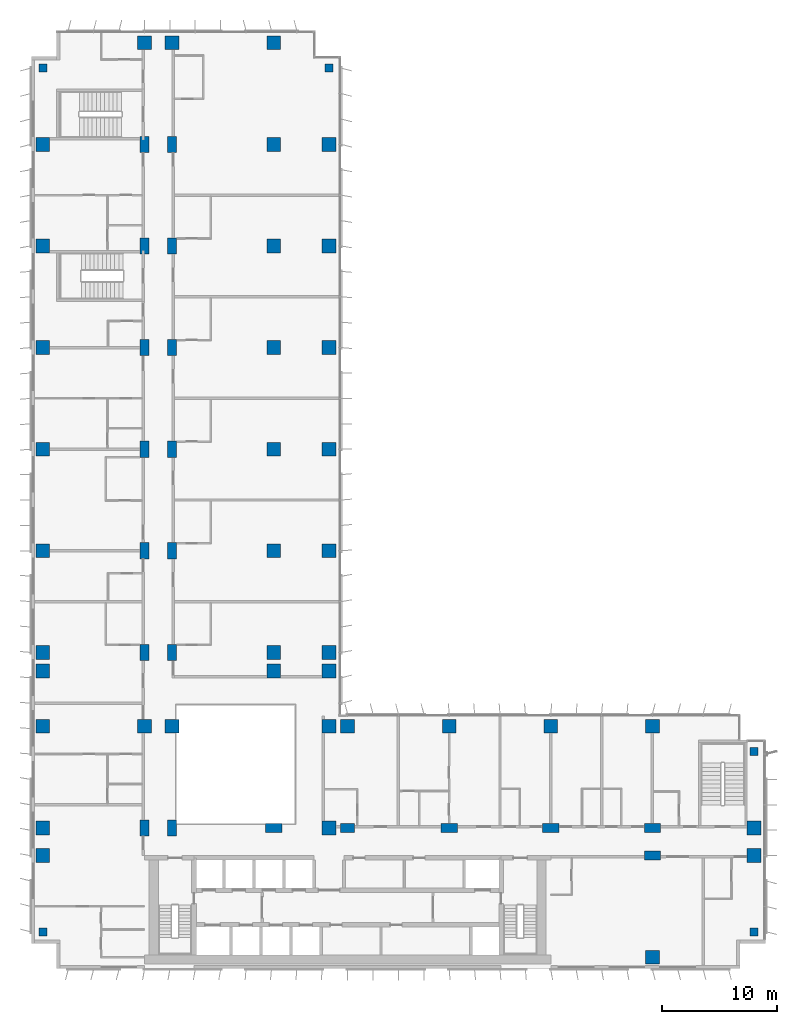
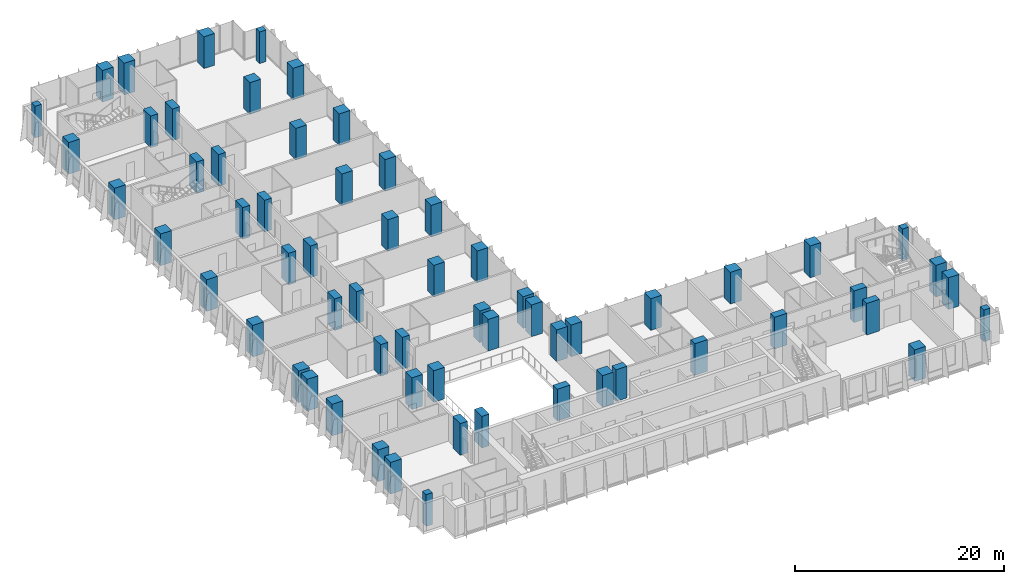
# One storey, part 1 of 22: 63 columns.
"""IFC4 building model written with IfcOpenShell, lengths in metres."""

import ifcopenshell
import ifcopenshell.guid

model = None  # the IFC model being written
_history = None  # IfcOwnerHistory: only IFC2X3 demands one
_inside = {}  # id of a spatial element -> (the spatial element, [elements in it])
_under = {}  # id of a project, library or spatial element -> (it, [spatial elements below it])
_declared = {}  # id of a project -> (the project, [libraries it declares])
_typed = {}  # id of a type object -> (the type object, [elements of that type])
_made_of = {}  # id of a material, layer set ... -> (it, [elements and type objects made of it])


def new_model(schema):
    """Start an empty IFC model of exactly this schema.

    Asked for "IFC4X3", IfcOpenShell would pick the latest addendum, in which some entities
    have other attributes; the version numbers below select the first issue.
    IFC2X3 requires an IfcOwnerHistory on every rooted entity: one is made here for all.
    """
    global model, _history
    if schema == "IFC4X3":
        model = ifcopenshell.file(schema_version=(4, 3, 0, 0))
    else:
        model = ifcopenshell.file(schema=schema)
    _inside.clear()
    _under.clear()
    _declared.clear()
    _typed.clear()
    _made_of.clear()
    _history = None
    if model.schema == "IFC2X3":
        org = make("IfcOrganization", Name="unknown")
        user = make(
            "IfcPersonAndOrganization",
            ThePerson=make("IfcPerson", FamilyName="unknown"),
            TheOrganization=org,
        )
        app = make(
            "IfcApplication",
            ApplicationDeveloper=org,
            Version="unknown",
            ApplicationFullName="unknown",
            ApplicationIdentifier="unknown",
        )
        _history = make(
            "IfcOwnerHistory",
            OwningUser=user,
            OwningApplication=app,
            ChangeAction="ADDED",
            CreationDate=0,
        )
    return model


def make(cls, **values):
    """One entity of the class cls with the attributes given. An attribute that is None is left unset."""
    return model.create_entity(
        cls, **{name: value for name, value in values.items() if value is not None}
    )


def rooted(cls, **values):
    """An entity with a GlobalId (a new one), such as an element, a storey or a relation."""
    return make(cls, GlobalId=ifcopenshell.guid.new(), OwnerHistory=_history, **values)


def si_unit(unit_type, name, prefix=None):
    """IfcSIUnit, for example si_unit("LENGTHUNIT", "METRE", prefix="MILLI")."""
    return make("IfcSIUnit", UnitType=unit_type, Prefix=prefix, Name=name)


def assignment(units):
    """IfcUnitAssignment: the units of a project."""
    return None if units is None else make("IfcUnitAssignment", Units=units)


def point(xyz):
    """IfcCartesianPoint."""
    return None if xyz is None else make("IfcCartesianPoint", Coordinates=xyz)


def direction(xyz):
    """IfcDirection."""
    return None if xyz is None else make("IfcDirection", DirectionRatios=xyz)


def frame(location, z_axis=None, x_axis=None):
    """IfcAxis2Placement3D, a coordinate frame: its origin and axes. An axis left out is left unset."""
    return make(
        "IfcAxis2Placement3D",
        Location=point(location),
        Axis=direction(z_axis),
        RefDirection=direction(x_axis),
    )


def frame_2d(location, x_axis=None):
    """IfcAxis2Placement2D, a coordinate frame in the plane: its origin and x axis."""
    return make(
        "IfcAxis2Placement2D", Location=point(location), RefDirection=direction(x_axis)
    )


def origin():
    """The frame at (0, 0, 0) with its axes left unset."""
    return frame((0.0, 0.0, 0.0))


def origin_2d():
    """The frame at (0, 0) in the plane with its x axis left unset."""
    return frame_2d((0.0, 0.0))


def place(relative_to, where):
    """IfcLocalPlacement: puts the frame where relative to a parent placement (None: the world)."""
    return make(
        "IfcLocalPlacement", PlacementRelTo=relative_to, RelativePlacement=where
    )


def context(
    kind, dimensions, precision=None, world=None, true_north=None, identifier=None
):
    """IfcGeometricRepresentationContext, for example the 3D "Model" context."""
    return make(
        "IfcGeometricRepresentationContext",
        ContextIdentifier=identifier,
        ContextType=kind,
        CoordinateSpaceDimension=dimensions,
        Precision=precision,
        WorldCoordinateSystem=world,
        TrueNorth=true_north,
    )


def subcontext(parent, identifier, kind, view, scale=None):
    """IfcGeometricRepresentationSubContext, for example "Body" below "Model"."""
    return make(
        "IfcGeometricRepresentationSubContext",
        ContextIdentifier=identifier,
        ContextType=kind,
        ParentContext=parent,
        TargetScale=scale,
        TargetView=view,
    )


def project(units=None, contexts=None):
    """IfcProject with its units and contexts."""
    return rooted(
        "IfcProject",
        Name="project",
        RepresentationContexts=contexts,
        UnitsInContext=assignment(units),
    )


def spatial(cls, under=None, at=None, **own):
    """A site, building, storey or space (cls), placed at a placement, below another one or the project."""
    s = rooted(cls, ObjectPlacement=at, **own)
    if under is not None:
        _under.setdefault(under.id(), (under, []))[1].append(s)
    return s


def profile(cls, at=None, kind="AREA", **sizes):
    """A parametric profile (cls). Its sizes go by their IFC names, for example OverallWidth=200.0."""
    return make(cls, ProfileType=kind, Position=at, **sizes)


def rectangle(**sizes):
    """IfcRectangleProfileDef."""
    return profile("IfcRectangleProfileDef", **sizes)


def extrude(swept, where, along, depth):
    """IfcExtrudedAreaSolid: the profile swept, set in the frame where, extruded along a direction by depth."""
    return make(
        "IfcExtrudedAreaSolid",
        SweptArea=swept,
        Position=where,
        ExtrudedDirection=direction(along),
        Depth=depth,
    )


def shape(context_of_items, identifier, shape_type, items):
    """IfcShapeRepresentation: the items that make up one representation, for example the "Body"."""
    return make(
        "IfcShapeRepresentation",
        ContextOfItems=context_of_items,
        RepresentationIdentifier=identifier,
        RepresentationType=shape_type,
        Items=items,
    )


def material(Name=None, Category=None):
    """IfcMaterial."""
    return make("IfcMaterial", Name=Name, Category=Category)


def material_profile(
    of_material, cross_section, Name=None, Category=None, Priority=None
):
    """IfcMaterialProfile: a cross section and its material."""
    return make(
        "IfcMaterialProfile",
        Name=Name,
        Material=of_material,
        Profile=cross_section,
        Priority=Priority,
        Category=Category,
    )


def profile_set(profiles, Name=None, composite=None):
    """IfcMaterialProfileSet."""
    return make(
        "IfcMaterialProfileSet",
        Name=Name,
        MaterialProfiles=profiles,
        CompositeProfile=composite,
    )


def made_of(thing, what):
    """Note that an element or type object is made of a material, layer set ...; save() writes the relation."""
    if what is not None:
        _made_of.setdefault(what.id(), (what, []))[1].append(thing)
    return thing


def type_object(cls, material=None, **own):
    """A type object (cls), such as IfcWallType, which elements share."""
    return made_of(rooted(cls, **own), material)


def element(
    cls,
    number,
    at=None,
    inside=None,
    cuts=None,
    type_object=None,
    material=None,
    context=None,
    identifier="Body",
    shape_type=None,
    held_by="IfcProductDefinitionShape",
    body=None,
    shapes=None,
    **own,
):
    """One element of the class cls, such as IfcWall. Its Tag is "e" and its number.

    at: its placement. inside: the storey or other place that contains it. cuts: it is an
    opening in that element (IfcRelVoidsElement). A single representation is given by context,
    identifier, shape_type and body (its items); several are given by shapes. held_by: the class
    of the entity that holds the representations. save() writes the other relations.
    """
    e = rooted(cls, Tag="e%d" % number, ObjectPlacement=at, **own)
    if body is not None:
        shapes = [shape(context, identifier, shape_type, body)]
    if shapes is not None:
        e.Representation = make(held_by, Representations=shapes)
    if inside is not None:
        _inside.setdefault(inside.id(), (inside, []))[1].append(e)
    if cuts is not None:
        rooted(
            "IfcRelVoidsElement", RelatingBuildingElement=cuts, RelatedOpeningElement=e
        )
    if type_object is not None:
        _typed.setdefault(type_object.id(), (type_object, []))[1].append(e)
    return made_of(e, material)


def aggregate(whole, parts):
    """IfcRelAggregates: a whole, such as a stair, and the parts it consists of."""
    return rooted("IfcRelAggregates", RelatingObject=whole, RelatedObjects=parts)


def save(model, path):
    """Write the relations noted so far, then the file.

    IfcRelAggregates (storeys below a building ...), IfcRelContainedInSpatialStructure (elements
    in a storey), IfcRelDefinesByType, IfcRelAssociatesMaterial and IfcRelDeclares: one each for
    every whole, place, type object, material and project.
    """
    for whole, parts in _under.values():
        aggregate(whole, parts)
    for where, things in _inside.values():
        rooted(
            "IfcRelContainedInSpatialStructure",
            RelatedElements=things,
            RelatingStructure=where,
        )
    for kind, things in _typed.values():
        rooted("IfcRelDefinesByType", RelatedObjects=things, RelatingType=kind)
    for what, things in _made_of.values():
        rooted("IfcRelAssociatesMaterial", RelatedObjects=things, RelatingMaterial=what)
    for by, libraries in _declared.values():
        rooted("IfcRelDeclares", RelatingContext=by, RelatedDefinitions=libraries)
    model.write(path)


model = new_model("IFC4")

# Units and contexts
model_context = context("Model", 3, precision=1e-05, world=origin(), true_north=direction((0.0, 1.0)))
body_context = subcontext(model_context, "Body", "Model", "MODEL_VIEW")
ifc_project = project(units=[si_unit("LENGTHUNIT", "METRE"), si_unit("AREAUNIT", "SQUARE_METRE"), si_unit("VOLUMEUNIT", "CUBIC_METRE"), si_unit("PLANEANGLEUNIT", "RADIAN"), si_unit("MASSUNIT", "GRAM", prefix="KILO")], contexts=[model_context])

# Site, building, storey
site_placement = place(None, origin())
site = spatial("IfcSite", under=ifc_project, at=site_placement, CompositionType="ELEMENT")
building_placement = place(site_placement, origin())
building = spatial("IfcBuilding", under=site, at=building_placement, Name="Kemantara Hotel Tower", CompositionType="ELEMENT")
storey_placement = place(building_placement, frame((0.0, 0.0, 149.39990234375)))
storey = spatial("IfcBuildingStorey", under=building, at=storey_placement, Name="L36", CompositionType="ELEMENT", Elevation=149.39990234375)

# Columns
ifc_material = material(Name="Concrete fc 60 MPa", Category="concrete")
ifc_material_profile_1 = material_profile(ifc_material, rectangle(XDim=1.199951171875, YDim=1.199951171875, at=origin_2d()), Name="RC 1200X1200")
ifc_profile_set_1 = profile_set([ifc_material_profile_1], Name="Concrete fc 60 MPa")
column_type_1 = type_object("IfcColumnType", Name="RC COLUMN 1200X1200 FC60", PredefinedType="COLUMN", material=ifc_profile_set_1)
for number, where, z_axis, x_axis, name in (
    (1, (1.0, 9.800048828125, 0.0), (0.0, 0.0, 1.0), (1.0, 0.0, 0.0), "COLUMN 1/B L36"),
    (2, (1.0, 12.199951171875, 0.0), (0.0, 0.0, 1.0), (1.0, 0.0, 0.0), "COLUMN 1/BA L36"),
    (3, (1.0, 21.0, 0.0), (0.0, 0.0, 1.0), (1.0, 0.0, 0.0), "COLUMN 1/C L36"),
    (4, (1.0, 25.800048828125, 0.0), (0.0, 0.0, 1.0), (1.0, 0.0, 0.0), "COLUMN 1/CA L36"),
    (5, (1.0, 27.39990234375, 0.0), (0.0, 0.0, 1.0), (1.0, 0.0, 0.0), "COLUMN 1/D L36"),
    (6, (1.0, 36.199951171875, 0.0), (0.0, 0.0, 1.0), (1.0, 0.0, 0.0), "COLUMN 1/E L36"),
    (7, (1.0, 45.0, 0.0), (0.0, 0.0, 1.0), (1.0, 0.0, 0.0), "COLUMN 1/F L36"),
    (8, (1.0, 53.800048828125, 0.0), (0.0, 0.0, 1.0), (1.0, 0.0, 0.0), "COLUMN 1/G L36"),
    (9, (1.0, 62.60009765625, 0.0), (0.0, 0.0, 1.0), (1.0, 0.0, 0.0), "COLUMN 1/H L36"),
    (10, (1.0, 71.39990234375, 0.0), (0.0, 0.0, 1.0), (1.0, 0.0, 0.0), "COLUMN 1/J L36"),
    (11, (9.800048828125, 21.0, 0.0), (0.0, 0.0, 1.0), (1.0, 0.0, 0.0), "COLUMN 2/C L36"),
    (12, (9.800048828125, 80.199951171875, 0.0), (0.0, 0.0, 1.0), (1.0, 0.0, 0.0), "COLUMN 2/K L36"),
    (13, (12.199951171875, 21.0, 0.0), (0.0, 0.0, 1.0), (1.0, 0.0, 0.0), "COLUMN 2A/C L36"),
    (14, (12.199951171875, 80.199951171875, 0.0), (0.0, 0.0, 1.0), (1.0, 0.0, 0.0), "COLUMN 2A/K L36"),
    (15, (21.0, 25.800048828125, 0.0), (0.0, 0.0, 1.0), (1.0, 0.0, 0.0), "COLUMN 3/CA L36"),
    (16, (21.0, 27.39990234375, 0.0), (0.0, 0.0, 1.0), (1.0, 0.0, 0.0), "COLUMN 3/D L36"),
    (17, (21.0, 36.199951171875, 0.0), (0.0, 0.0, 1.0), (1.0, 0.0, 0.0), "COLUMN 3/E L36"),
    (18, (21.0, 45.0, 0.0), (0.0, 0.0, 1.0), (1.0, 0.0, 0.0), "COLUMN 3/F L36"),
    (19, (21.0, 53.800048828125, 0.0), (0.0, 0.0, 1.0), (1.0, 0.0, 0.0), "COLUMN 3/G L36"),
    (20, (21.0, 62.60009765625, 0.0), (0.0, 0.0, 1.0), (1.0, 0.0, 0.0), "COLUMN 3/H L36"),
    (21, (21.0, 71.39990234375, 0.0), (0.0, 0.0, 1.0), (1.0, 0.0, 0.0), "COLUMN 3/J L36"),
    (22, (21.0, 80.199951171875, 0.0), (0.0, 0.0, 1.0), (1.0, 0.0, 0.0), "COLUMN 3/K L36"),
    (23, (25.800048828125, 12.199951171875, 0.0), (0.0, 0.0, 1.0), (1.0, 0.0, 0.0), "COLUMN 3A/BA L36"),
    (24, (25.800048828125, 21.0, 0.0), (0.0, 0.0, 1.0), (1.0, 0.0, 0.0), "COLUMN 3A/C L36"),
    (25, (25.800048828125, 25.800048828125, 0.0), (0.0, 0.0, 1.0), (1.0, 0.0, 0.0), "COLUMN 3A/CA L36"),
    (26, (25.800048828125, 27.39990234375, 0.0), (0.0, 0.0, 1.0), (1.0, 0.0, 0.0), "COLUMN 3A/D L36"),
    (27, (25.800048828125, 36.199951171875, 0.0), (0.0, 0.0, 1.0), (1.0, 0.0, 0.0), "COLUMN 3A/E L36"),
    (28, (25.800048828125, 45.0, 0.0), (0.0, 0.0, 1.0), (1.0, 0.0, 0.0), "COLUMN 3A/F L36"),
    (29, (25.800048828125, 53.800048828125, 0.0), (0.0, 0.0, 1.0), (1.0, 0.0, 0.0), "COLUMN 3A/G L36"),
    (30, (25.800048828125, 62.60009765625, 0.0), (0.0, 0.0, 1.0), (1.0, 0.0, 0.0), "COLUMN 3A/H L36"),
    (31, (25.800048828125, 71.39990234375, 0.0), (0.0, 0.0, 1.0), (1.0, 0.0, 0.0), "COLUMN 3A/J L36"),
    (32, (27.39990234375, 21.0, 0.0), (0.0, 0.0, 1.0), (1.0, 0.0, 0.0), "COLUMN 4/C L36"),
    (33, (36.199951171875, 21.0, 0.0), (0.0, 0.0, 1.0), (1.0, 0.0, 0.0), "COLUMN 5/C L36"),
    (34, (45.0, 21.0, 0.0), (0.0, 0.0, 1.0), (1.0, 0.0, 0.0), "COLUMN 6/C L36"),
    (35, (53.800048828125, 1.0, 0.0), (0.0, 0.0, 1.0), (1.0, 0.0, 0.0), "COLUMN 7/A L36"),
    (36, (53.800048828125, 21.0, 0.0), (0.0, 0.0, 1.0), (1.0, 0.0, 0.0), "COLUMN 7/C L36"),
    (37, (62.60009765625, 9.800048828125, 0.0), (0.0, 0.0, 1.0), (1.0, 0.0, 0.0), "COLUMN 8/B L36"),
    (38, (62.60009765625, 12.199951171875, 0.0), (0.0, 0.0, 1.0), (1.0, 0.0, 0.0), "COLUMN 8/BA L36"),
):
    element("IfcColumn", number, at=place(storey_placement, frame(where, z_axis=z_axis, x_axis=x_axis)), inside=storey, type_object=column_type_1, Name=name, PredefinedType="COLUMN", context=body_context, shape_type="SweptSolid", body=[
        extrude(rectangle(XDim=1.199951171875, YDim=1.199951171875, at=origin_2d()), origin(), (0.0, 0.0, 1.0), 3.7001953125),
    ])
ifc_material_profile_2 = material_profile(ifc_material, rectangle(XDim=1.199951171875, YDim=0.800048828125, at=origin_2d()), Name="RC 1200X800")
ifc_profile_set_2 = profile_set([ifc_material_profile_2], Name="Concrete fc 60 MPa")
column_type_2 = type_object("IfcColumnType", Name="RC COLUMN 1200X800 FC60", PredefinedType="COLUMN", material=ifc_profile_set_2)
column_placement = place(storey_placement, frame((27.39990234375, 12.199951171875, 0.0), z_axis=(0.0, 0.0, 1.0), x_axis=(1.0, 0.0, 0.0)))
element("IfcColumn", 39, at=column_placement, inside=storey, type_object=column_type_2, Name="COLUMN 4/BA L36", PredefinedType="COLUMN", context=body_context, shape_type="SweptSolid", body=[
    extrude(rectangle(XDim=1.199951171875, YDim=0.800048828125, at=origin_2d()), origin(), (0.0, 0.0, 1.0), 3.7001953125),
])
ifc_material_profile_3 = material_profile(ifc_material, rectangle(XDim=1.39990234375, YDim=0.800048828125, at=origin_2d()), Name="RC 1400X800")
ifc_profile_set_3 = profile_set([ifc_material_profile_3], Name="Concrete fc 60 MPa")
column_type_3 = type_object("IfcColumnType", Name="RC COLUMN 1400X800 FC60", PredefinedType="COLUMN", material=ifc_profile_set_3)
for number, where, z_axis, x_axis, name in (
    (40, (9.800048828125, 12.199951171875, 0.0), (0.0, 0.0, 1.0), (0.0, 1.0, 0.0), "COLUMN 2/BA L36"),
    (41, (9.800048828125, 27.39990234375, 0.0), (0.0, 0.0, 1.0), (0.0, 1.0, 0.0), "COLUMN 2/D L36"),
    (42, (9.800048828125, 36.199951171875, 0.0), (0.0, 0.0, 1.0), (0.0, 1.0, 0.0), "COLUMN 2/E L36"),
    (43, (9.800048828125, 45.0, 0.0), (0.0, 0.0, 1.0), (0.0, 1.0, 0.0), "COLUMN 2/F L36"),
    (44, (9.800048828125, 53.800048828125, 0.0), (0.0, 0.0, 1.0), (0.0, 1.0, 0.0), "COLUMN 2/G L36"),
    (45, (9.800048828125, 62.60009765625, 0.0), (0.0, 0.0, 1.0), (0.0, 1.0, 0.0), "COLUMN 2/H L36"),
    (46, (9.800048828125, 71.39990234375, 0.0), (0.0, 0.0, 1.0), (0.0, 1.0, 0.0), "COLUMN 2/J L36"),
    (47, (12.199951171875, 12.199951171875, 0.0), (0.0, 0.0, 1.0), (0.0, 1.0, 0.0), "COLUMN 2A/BA L36"),
    (48, (12.199951171875, 27.39990234375, 0.0), (0.0, 0.0, 1.0), (0.0, 1.0, 0.0), "COLUMN 2A/D L36"),
    (49, (12.199951171875, 36.199951171875, 0.0), (0.0, 0.0, 1.0), (0.0, 1.0, 0.0), "COLUMN 2A/E L36"),
    (50, (12.199951171875, 45.0, 0.0), (0.0, 0.0, 1.0), (0.0, 1.0, 0.0), "COLUMN 2A/F L36"),
    (51, (12.199951171875, 53.800048828125, 0.0), (0.0, 0.0, 1.0), (0.0, 1.0, 0.0), "COLUMN 2A/G L36"),
    (52, (12.199951171875, 62.60009765625, 0.0), (0.0, 0.0, 1.0), (0.0, 1.0, 0.0), "COLUMN 2A/H L36"),
    (53, (12.199951171875, 71.39990234375, 0.0), (0.0, 0.0, 1.0), (0.0, 1.0, 0.0), "COLUMN 2A/J L36"),
    (54, (21.0, 12.199951171875, 0.0), (0.0, 0.0, 1.0), (1.0, 0.0, 0.0), "COLUMN 3/BA L36"),
    (55, (36.199951171875, 12.199951171875, 0.0), (0.0, 0.0, 1.0), (1.0, 0.0, 0.0), "COLUMN 5/BA L36"),
    (56, (45.0, 12.199951171875, 0.0), (0.0, 0.0, 1.0), (1.0, 0.0, 0.0), "COLUMN 6/BA L36"),
    (57, (53.800048828125, 9.800048828125, 0.0), (0.0, 0.0, 1.0), (1.0, 0.0, 0.0), "COLUMN 7/B L36"),
    (58, (53.800048828125, 12.199951171875, 0.0), (0.0, 0.0, 1.0), (1.0, 0.0, 0.0), "COLUMN 7/BA L36"),
):
    element("IfcColumn", number, at=place(storey_placement, frame(where, z_axis=z_axis, x_axis=x_axis)), inside=storey, type_object=column_type_3, Name=name, PredefinedType="COLUMN", context=body_context, shape_type="SweptSolid", body=[
        extrude(rectangle(XDim=1.39990234375, YDim=0.800048828125, at=origin_2d()), origin(), (0.0, 0.0, 1.0), 3.7001953125),
    ])
ifc_material_profile_4 = material_profile(ifc_material, rectangle(XDim=0.699951171875, YDim=0.699951171875, at=origin_2d()), Name="RC 700X700")
ifc_profile_set_4 = profile_set([ifc_material_profile_4], Name="Concrete fc 60 MPa")
column_type_4 = type_object("IfcColumnType", Name="RC COLUMN 700X700 FC60", PredefinedType="COLUMN", material=ifc_profile_set_4)
for number, where, z_axis, x_axis, name in (
    (59, (1.0, 3.199951171875, 0.0), (0.0, 0.0, 1.0), (1.0, 0.0, 0.0), "COLUMN notch corner L36"),
    (60, (1.0, 78.0, 0.0), (0.0, 0.0, 1.0), (1.0, 0.0, 0.0), "COLUMN notch corner L36"),
    (61, (25.800048828125, 78.0, 0.0), (0.0, 0.0, 1.0), (1.0, 0.0, 0.0), "COLUMN notch corner L36"),
    (62, (62.60009765625, 3.199951171875, 0.0), (0.0, 0.0, 1.0), (1.0, 0.0, 0.0), "COLUMN notch corner L36"),
    (63, (62.60009765625, 18.800048828125, 0.0), (0.0, 0.0, 1.0), (1.0, 0.0, 0.0), "COLUMN notch corner L36"),
):
    element("IfcColumn", number, at=place(storey_placement, frame(where, z_axis=z_axis, x_axis=x_axis)), inside=storey, type_object=column_type_4, Name=name, PredefinedType="COLUMN", context=body_context, shape_type="SweptSolid", body=[
        extrude(rectangle(XDim=0.699951171875, YDim=0.699951171875, at=origin_2d()), origin(), (0.0, 0.0, 1.0), 3.7001953125),
    ])

save(model, "model.ifc")
